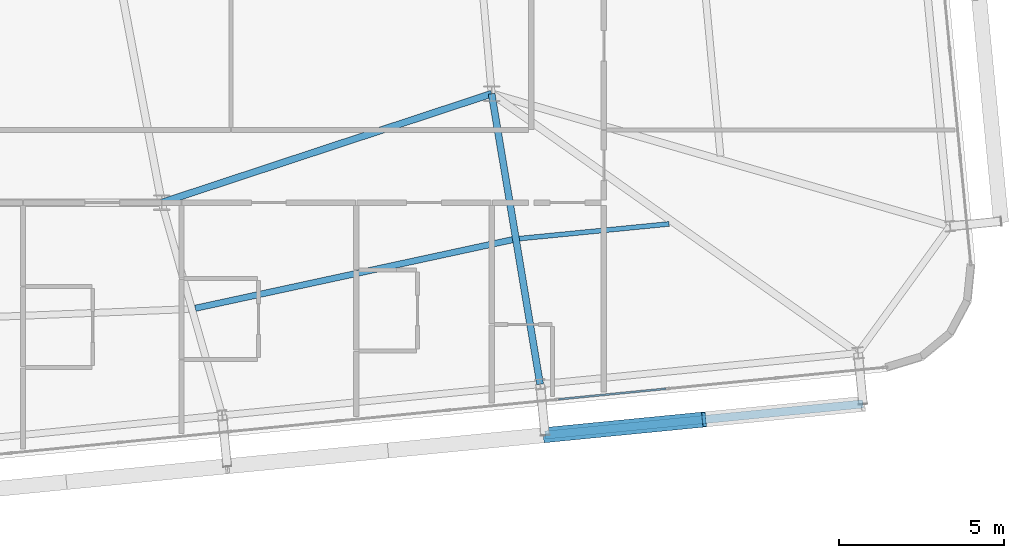
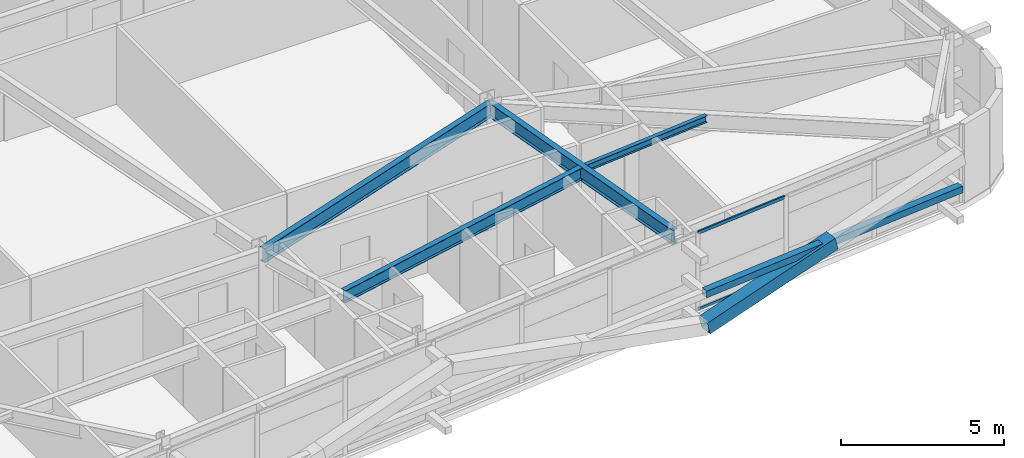
# One storey, part 19 of 53: 4 beams, 4 members, 1 element without a shape of its own.
"""IFC4 building model written with IfcOpenShell, lengths in metres."""

from ifc_helpers import new_model, si_unit, direction, frame, origin, origin_2d, place, context, subcontext, project, spatial, hollow_rectangle, i_section, extrude, source, transform, mapped, material, layer, layer_set, material_profile, profile_set, type_object, element, aggregate, save


model = new_model("IFC4")

# Units and contexts
model_context = context("Model", 3, precision=1e-05, world=origin(), true_north=direction((0.0, 1.0)))
body_context = subcontext(model_context, "Body", "Model", "MODEL_VIEW")
ifc_project = project(units=[si_unit("LENGTHUNIT", "METRE"), si_unit("AREAUNIT", "SQUARE_METRE"), si_unit("VOLUMEUNIT", "CUBIC_METRE"), si_unit("PLANEANGLEUNIT", "RADIAN"), si_unit("MASSUNIT", "GRAM", prefix="KILO")], contexts=[model_context])

# Site, building, storey
site_placement = place(None, origin())
site = spatial("IfcSite", under=ifc_project, at=site_placement, CompositionType="ELEMENT")
building_placement = place(site_placement, origin())
building = spatial("IfcBuilding", under=site, at=building_placement, Name="Taldren Reach Tower", CompositionType="ELEMENT")
storey_placement = place(building_placement, frame((0.0, 0.0, 68.25)))
storey = spatial("IfcBuildingStorey", under=building, at=storey_placement, Name="L20", CompositionType="ELEMENT", Elevation=68.25)

# Beams
ifc_material_1 = material(Name="Steel Gr 350 (350PLUS)", Category="steel")
ifc_material_profile_1 = material_profile(ifc_material_1, i_section(OverallWidth=0.208984375, OverallDepth=0.532958984375, WebThickness=0.01025390625, FlangeThickness=0.015625, at=origin_2d()), Name="530UB92.4")
ifc_profile_set_1 = profile_set([ifc_material_profile_1], Name="Steel Gr 350 (350PLUS)")
beam_type_1 = type_object("IfcBeamType", Name="BM-UB530A", PredefinedType="BEAM", material=ifc_profile_set_1)
shared_shape_1 = source(origin(), body_context, "Body", "SweptSolid", [
    extrude(i_section(OverallWidth=0.208984375, OverallDepth=0.532958984375, WebThickness=0.01025390625, FlangeThickness=0.015625, at=origin_2d()), origin(), (0.0, 0.0, 1.0), 10.530517578125),
])
beam_1_placement = place(storey_placement, frame((42.0, 9.199951171875, 2.66357421875), z_axis=(0.949627269203, 0.313381635689, 0.0), x_axis=(-0.313381635689, 0.949627269203, 0.0)))
element("IfcBeam", 1, at=beam_1_placement, inside=storey, type_object=beam_type_1, Name="Core-spine girder L20-SP12", PredefinedType="BEAM", context=body_context, shape_type="MappedRepresentation", body=[
    mapped(shared_shape_1, transform((0.0, 0.0, 0.0), scale=1.0)),
])
shared_shape_2 = source(origin(), body_context, "Body", "SweptSolid", [
    extrude(i_section(OverallWidth=0.208984375, OverallDepth=0.532958984375, WebThickness=0.01025390625, FlangeThickness=0.015625, at=origin_2d()), origin(), (0.0, 0.0, 1.0), 8.92333984375),
])
beam_2_placement = place(storey_placement, frame((52.0, 12.5, 2.66357421875), z_axis=(0.164678494096, -0.986347298664, 0.0), x_axis=(0.986347298664, 0.164678494096, 0.0)))
element("IfcBeam", 2, at=beam_2_placement, inside=storey, type_object=beam_type_1, Name="Primary floor girder B2-S5 L20", PredefinedType="BEAM", context=body_context, shape_type="MappedRepresentation", body=[
    mapped(shared_shape_2, transform((0.0, 0.0, 0.0), scale=1.0)),
])
ifc_material_profile_2 = material_profile(ifc_material_1, i_section(OverallWidth=0.19091796875, OverallDepth=0.4599609375, WebThickness=0.010009765625, FlangeThickness=0.01611328125, at=origin_2d()), Name="460UB82.1")
ifc_profile_set_2 = profile_set([ifc_material_profile_2], Name="Steel Gr 350 (350PLUS)")
beam_type_2 = type_object("IfcBeamType", Name="BM-UB460A", PredefinedType="BEAM", material=ifc_profile_set_2)
shared_shape_3 = source(origin(), body_context, "Body", "SweptSolid", [
    extrude(i_section(OverallWidth=0.19091796875, OverallDepth=0.4599609375, WebThickness=0.010009765625, FlangeThickness=0.01611328125, at=origin_2d()), origin(), (0.0, 0.0, 1.0), 9.83447265625),
])
beam_3_placement = place(storey_placement, frame((43.02001953125, 5.9990234375, 2.699951171875), z_axis=(0.977418600156, 0.211312280924, 0.0), x_axis=(-0.211312280924, 0.977418600156, 0.0)))
element("IfcBeam", 3, at=beam_3_placement, inside=storey, type_object=beam_type_2, Name="Secondary floor beam B2 J4 L20", PredefinedType="BEAM", context=body_context, shape_type="MappedRepresentation", body=[
    mapped(shared_shape_3, transform((0.0, 0.0, 0.0), scale=1.0)),
])
ifc_material_2 = material(Name="Steel Gr 300 (300PLUS, 300 MPa)", Category="steel")
ifc_material_profile_3 = material_profile(ifc_material_2, i_section(OverallWidth=0.14599609375, OverallDepth=0.256103515625, WebThickness=0.00634765625, FlangeThickness=0.010986328125, at=origin_2d()), Name="250UB37.3")
ifc_profile_set_3 = profile_set([ifc_material_profile_3], Name="Steel Gr 300 (300PLUS, 300 MPa)")
beam_type_3 = type_object("IfcBeamType", Name="JS-UB250", PredefinedType="JOIST", material=ifc_profile_set_3)
shared_shape_4 = source(origin(), body_context, "Body", "SweptSolid", [
    extrude(i_section(OverallWidth=0.14599609375, OverallDepth=0.256103515625, WebThickness=0.00634765625, FlangeThickness=0.010986328125, at=origin_2d()), origin(), (0.0, 0.0, 1.0), 4.56103515625),
])
beam_4_placement = place(storey_placement, frame((52.8388671875, 8.109375, 2.802001953125), z_axis=(0.995227709746, 0.097579740487, 0.0), x_axis=(-0.097579740487, 0.995227709746, 0.0)))
element("IfcBeam", 4, at=beam_4_placement, inside=storey, type_object=beam_type_3, Name="Secondary floor joist B2 J5 L20", PredefinedType="JOIST", context=body_context, shape_type="MappedRepresentation", body=[
    mapped(shared_shape_4, transform((0.0, 0.0, 0.0), scale=1.0)),
])

# Members
ifc_material_3 = material(Name="Steel Gr 450 (C450L0)", Category="steel")
ifc_material_profile_4 = material_profile(ifc_material_3, hollow_rectangle(XDim=0.4599609375, YDim=0.4599609375, WallThickness=0.01611328125, at=origin_2d()), Name="460x460x16.0SHS")
ifc_profile_set_4 = profile_set([ifc_material_profile_4], Name="Steel Gr 450 (C450L0)")
member_type_1 = type_object("IfcMemberType", Name="MB-EXO457", PredefinedType="BRACE", material=ifc_profile_set_4)
shared_shape_5 = source(origin(), body_context, "Body", "SweptSolid", [
    extrude(hollow_rectangle(XDim=0.4599609375, YDim=0.4599609375, WallThickness=0.01611328125, at=origin_2d()), origin(), (0.0, 0.0, 1.0), 4.990234375),
])
member_1_placement = place(storey_placement, frame((53.62060546875, 2.156005859375, 0.219970703125), z_axis=(0.965275526283, 0.094619506732, 0.243496010862), x_axis=(-0.097555749586, 0.995230061706, 0.0)))
element("IfcMember", 5, at=member_1_placement, inside=storey, type_object=member_type_1, Name="Exoskeleton Diagrid Brace B2-S5 L20", PredefinedType="BRACE", context=body_context, shape_type="MappedRepresentation", body=[
    mapped(shared_shape_5, transform((0.0, 0.0, 0.0), scale=1.0)),
])
ifc_material_4 = material(Name="Steel Gr 350 (C350L0)", Category="steel")
ifc_material_profile_5 = material_profile(ifc_material_4, hollow_rectangle(XDim=0.25, YDim=0.25, WallThickness=0.010009765625, at=origin_2d()), Name="250x250x10.0SHS")
ifc_profile_set_5 = profile_set([ifc_material_profile_5], Name="Steel Gr 350 (C350L0)")
member_type_2 = type_object("IfcMemberType", Name="MB-POST250", PredefinedType="POST", material=ifc_profile_set_5)
shared_shape_6 = source(origin(), body_context, "Body", "SweptSolid", [
    extrude(hollow_rectangle(XDim=0.25, YDim=0.25, WallThickness=0.010009765625, at=origin_2d()), origin(), (0.0, 0.0, 1.0), 9.679931640625),
])
member_2_placement = place(storey_placement, frame((53.62060546875, 2.156005859375, 1.43505859375), z_axis=(0.995227612658, 0.097580730699, 0.0), x_axis=(-0.097580730699, 0.995227612658, 0.0)))
element("IfcMember", 6, at=member_2_placement, inside=storey, type_object=member_type_2, Name="Exoskeleton mid-height ring chord B2-S5 L20", PredefinedType="POST", context=body_context, shape_type="MappedRepresentation", body=[
    mapped(shared_shape_6, transform((0.0, 0.0, 0.0), scale=1.0)),
])

# Curtain wall, members
ifc_material_5 = material(Name="Aluminium and Low-E Glass Unitised System", Category="aluminium")
ifc_layer = layer(ifc_material_5, 0.159912109375)
ifc_layer_set = layer_set([ifc_layer], Name="Aluminium and Low-E Glass Unitised System")
curtain_wall_type = type_object("IfcCurtainWallType", Name="CW-SYS-3", PredefinedType="NOTDEFINED", material=ifc_layer_set)
curtain_wall_placement = place(storey_placement, origin())
curtain_wall = element("IfcCurtainWall", 7, at=curtain_wall_placement, inside=storey, type_object=curtain_wall_type, Name="Unitised curtain wall CW-L20-S", PredefinedType="NOTDEFINED")
ifc_material_6 = material(Name="Anodised Aluminium 6063-T6", Category="aluminium")
ifc_material_profile_6 = material_profile(ifc_material_6, hollow_rectangle(XDim=0.054931640625, YDim=0.1201171875, WallThickness=0.0029296875, at=origin_2d()), Name="ALU-120x55x3RHS")
ifc_profile_set_6 = profile_set([ifc_material_profile_6], Name="Anodised Aluminium 6063-T6")
member_type_3 = type_object("IfcMemberType", Name="CW-TRN-135", PredefinedType="USERDEFINED", material=ifc_profile_set_6)
shared_shape_7 = source(origin(), body_context, "Body", "SweptSolid", [
    extrude(hollow_rectangle(XDim=0.054931640625, YDim=0.1201171875, WallThickness=0.0029296875, at=origin_2d()), origin(), (0.0, 0.0, 1.0), 3.268310546875),
])
member_3_placement = place(storey_placement, frame((54.029296875, 3.240966796875, 0.027587890625), z_axis=(0.99522980512, 0.097558367146, 0.0), x_axis=(-0.097558367146, 0.99522980512, 0.0)))
member_3 = element("IfcMember", 8, at=member_3_placement, type_object=member_type_3, Name="CW-3 transom 13.1", ObjectType="TRANSOM", PredefinedType="USERDEFINED", context=body_context, shape_type="MappedRepresentation", body=[
    mapped(shared_shape_7, transform((0.0, 0.0, 0.0), scale=1.0)),
])
member_4_placement = place(storey_placement, frame((54.029296875, 3.240966796875, 2.902587890625), z_axis=(0.99522980512, 0.097558367146, 0.0), x_axis=(-0.097558367146, 0.99522980512, 0.0)))
member_4 = element("IfcMember", 9, at=member_4_placement, type_object=member_type_3, Name="CW-3 transom 13.2", ObjectType="TRANSOM", PredefinedType="USERDEFINED", context=body_context, shape_type="MappedRepresentation", body=[
    mapped(shared_shape_7, transform((0.0, 0.0, 0.0), scale=1.0)),
])
aggregate(curtain_wall, [member_3, member_4])

save(model, "model.ifc")
